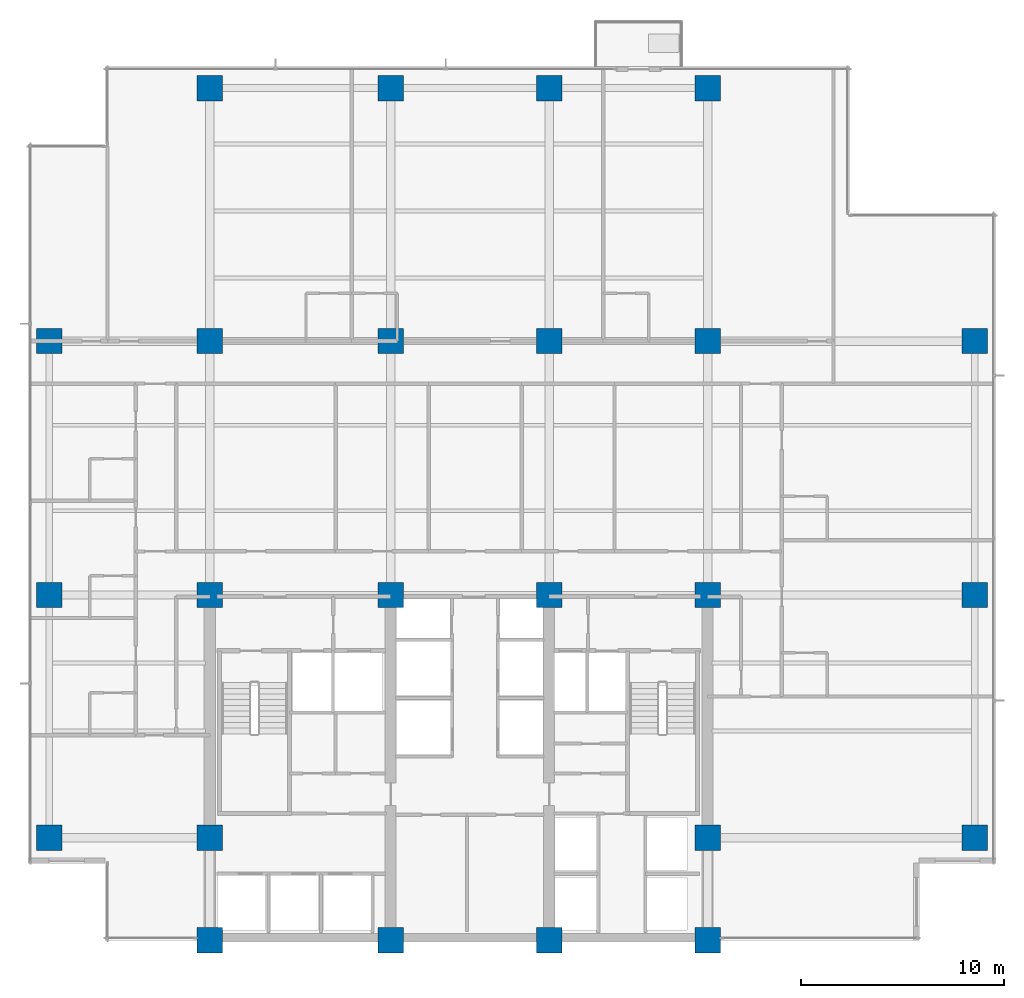
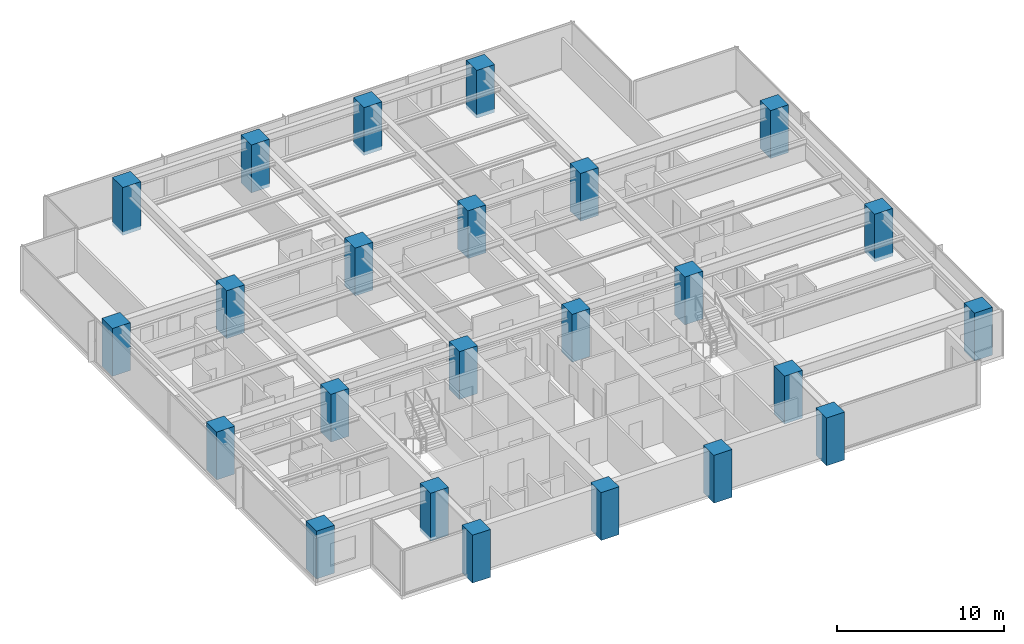
# One storey, part 1 of 17: 24 columns.
"""IFC4 building model written with IfcOpenShell, lengths in metres."""

from ifc_helpers import new_model, si_unit, direction, frame, origin, origin_2d, place, context, subcontext, project, spatial, rectangle, extrude, material, material_profile, profile_set, type_object, element, save


model = new_model("IFC4")

# Units and contexts
model_context = context("Model", 3, precision=1e-05, world=origin(), true_north=direction((0.0, 1.0)))
body_context = subcontext(model_context, "Body", "Model", "MODEL_VIEW")
ifc_project = project(units=[si_unit("LENGTHUNIT", "METRE"), si_unit("AREAUNIT", "SQUARE_METRE"), si_unit("VOLUMEUNIT", "CUBIC_METRE"), si_unit("PLANEANGLEUNIT", "RADIAN"), si_unit("MASSUNIT", "GRAM", prefix="KILO")], contexts=[model_context])

# Site, building, storey
site_placement = place(None, origin())
site = spatial("IfcSite", under=ifc_project, at=site_placement, CompositionType="ELEMENT")
building_placement = place(site_placement, origin())
building = spatial("IfcBuilding", under=site, at=building_placement, Name="Qalmaran Belvedere Hotel", CompositionType="ELEMENT")
storey_placement = place(building_placement, frame((0.0, 0.0, 112.699951171875)))
storey = spatial("IfcBuildingStorey", under=building, at=storey_placement, Name="L28", CompositionType="ELEMENT", Elevation=112.699951171875)

# Columns
ifc_material = material(Name="Concrete C60/75", Category="concrete")
ifc_material_profile = material_profile(ifc_material, rectangle(XDim=1.25, YDim=1.25, at=origin_2d()), Name="CC1250X1250")
ifc_profile_set = profile_set([ifc_material_profile], Name="Concrete C60/75")
column_type = type_object("IfcColumnType", Name="COL-Z2-CC1250", PredefinedType="COLUMN", material=ifc_profile_set)
for number, where, z_axis, x_axis, name in (
    (1, (20.300048828125, 3.5, -0.260009765625), (0.0, 0.0, 1.0), (1.0, 0.0, 0.0), "L28 Column C4B"),
    (2, (29.199951171875, 3.5, -0.260009765625), (0.0, 0.0, 1.0), (1.0, 0.0, 0.0), "L28 Column C5B"),
    (3, (37.0, 3.5, -0.260009765625), (0.0, 0.0, 1.0), (1.0, 0.0, 0.0), "L28 Column C6B"),
    (4, (44.800048828125, 3.5, -0.260009765625), (0.0, 0.0, 1.0), (1.0, 0.0, 0.0), "L28 Column C7B"),
    (5, (20.300048828125, 8.550048828125, -0.260009765625), (0.0, 0.0, 1.0), (1.0, 0.0, 0.0), "L28 Column C4C"),
    (6, (44.800048828125, 8.550048828125, -0.260009765625), (0.0, 0.0, 1.0), (1.0, 0.0, 0.0), "L28 Column C7C"),
    (7, (20.300048828125, 20.5, -0.260009765625), (0.0, 0.0, 1.0), (1.0, 0.0, 0.0), "L28 Column C4D"),
    (8, (29.199951171875, 20.5, -0.260009765625), (0.0, 0.0, 1.0), (1.0, 0.0, 0.0), "L28 Column C5D"),
    (9, (37.0, 20.5, -0.260009765625), (0.0, 0.0, 1.0), (1.0, 0.0, 0.0), "L28 Column C6D"),
    (10, (44.800048828125, 20.5, -0.260009765625), (0.0, 0.0, 1.0), (1.0, 0.0, 0.0), "L28 Column C7D"),
    (11, (20.300048828125, 33.0, -0.260009765625), (0.0, 0.0, 1.0), (1.0, 0.0, 0.0), "L28 Column C4F"),
    (12, (29.199951171875, 33.0, -0.260009765625), (0.0, 0.0, 1.0), (1.0, 0.0, 0.0), "L28 Column C5F"),
    (13, (37.0, 33.0, -0.260009765625), (0.0, 0.0, 1.0), (1.0, 0.0, 0.0), "L28 Column C6F"),
    (14, (44.800048828125, 33.0, -0.260009765625), (0.0, 0.0, 1.0), (1.0, 0.0, 0.0), "L28 Column C7F"),
    (15, (12.39990234375, 8.550048828125, -0.260009765625), (0.0, 0.0, 1.0), (1.0, 0.0, 0.0), "L28 Column CW1"),
    (16, (12.39990234375, 20.5, -0.260009765625), (0.0, 0.0, 1.0), (1.0, 0.0, 0.0), "L28 Column CW3"),
    (17, (12.39990234375, 33.0, -0.260009765625), (0.0, 0.0, 1.0), (1.0, 0.0, 0.0), "L28 Column CW4"),
    (18, (57.949951171875, 8.550048828125, -0.260009765625), (0.0, 0.0, 1.0), (1.0, 0.0, 0.0), "L28 Column CE1"),
    (19, (57.949951171875, 20.5, -0.260009765625), (0.0, 0.0, 1.0), (1.0, 0.0, 0.0), "L28 Column CE3"),
    (20, (57.949951171875, 33.0, -0.260009765625), (0.0, 0.0, 1.0), (1.0, 0.0, 0.0), "L28 Column CE4"),
    (21, (20.300048828125, 45.449951171875, -0.260009765625), (0.0, 0.0, 1.0), (1.0, 0.0, 0.0), "L28 Column CN1"),
    (22, (29.199951171875, 45.449951171875, -0.260009765625), (0.0, 0.0, 1.0), (1.0, 0.0, 0.0), "L28 Column CN2"),
    (23, (37.0, 45.449951171875, -0.260009765625), (0.0, 0.0, 1.0), (1.0, 0.0, 0.0), "L28 Column CN3"),
    (24, (44.800048828125, 45.449951171875, -0.260009765625), (0.0, 0.0, 1.0), (1.0, 0.0, 0.0), "L28 Column CN4"),
):
    element("IfcColumn", number, at=place(storey_placement, frame(where, z_axis=z_axis, x_axis=x_axis)), inside=storey, type_object=column_type, Name=name, PredefinedType="COLUMN", context=body_context, shape_type="SweptSolid", body=[
        extrude(rectangle(XDim=1.25, YDim=1.25, at=origin_2d()), origin(), (0.0, 0.0, 1.0), 3.5),
    ])

save(model, "model.ifc")
